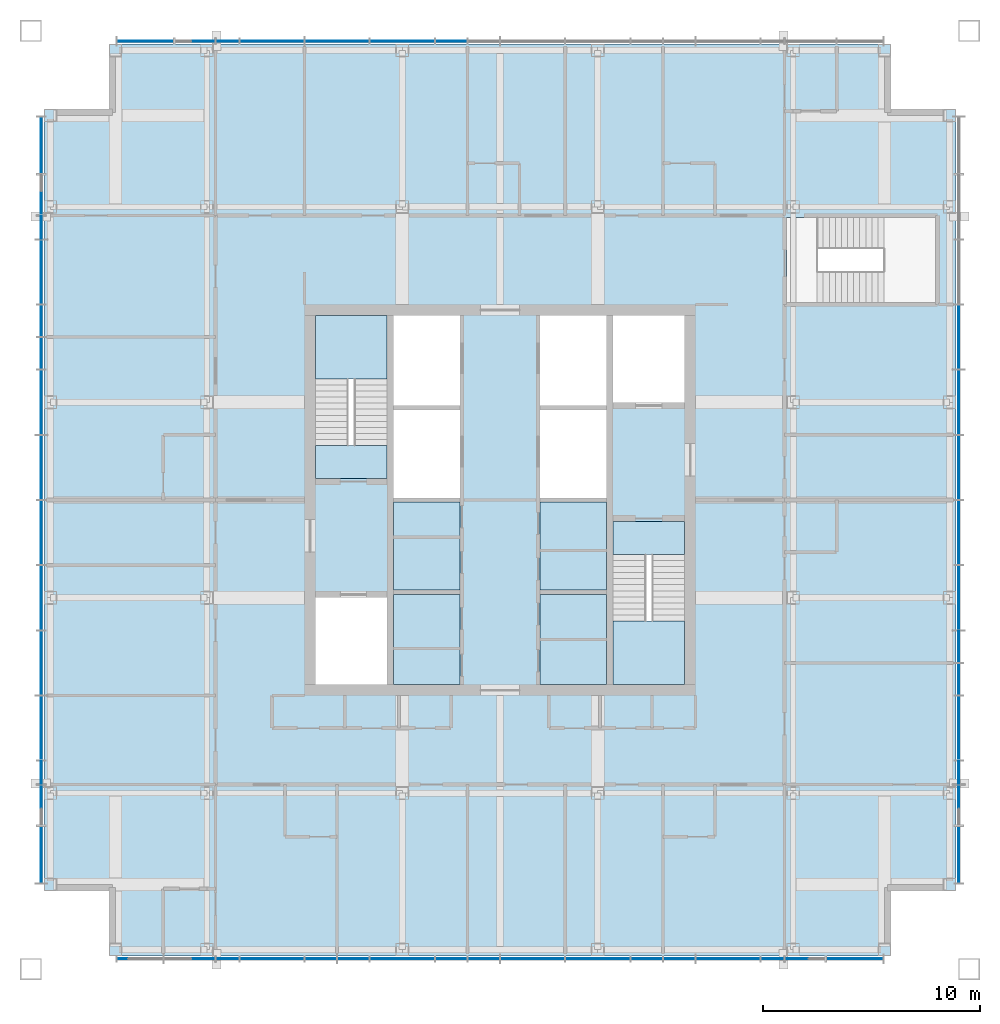
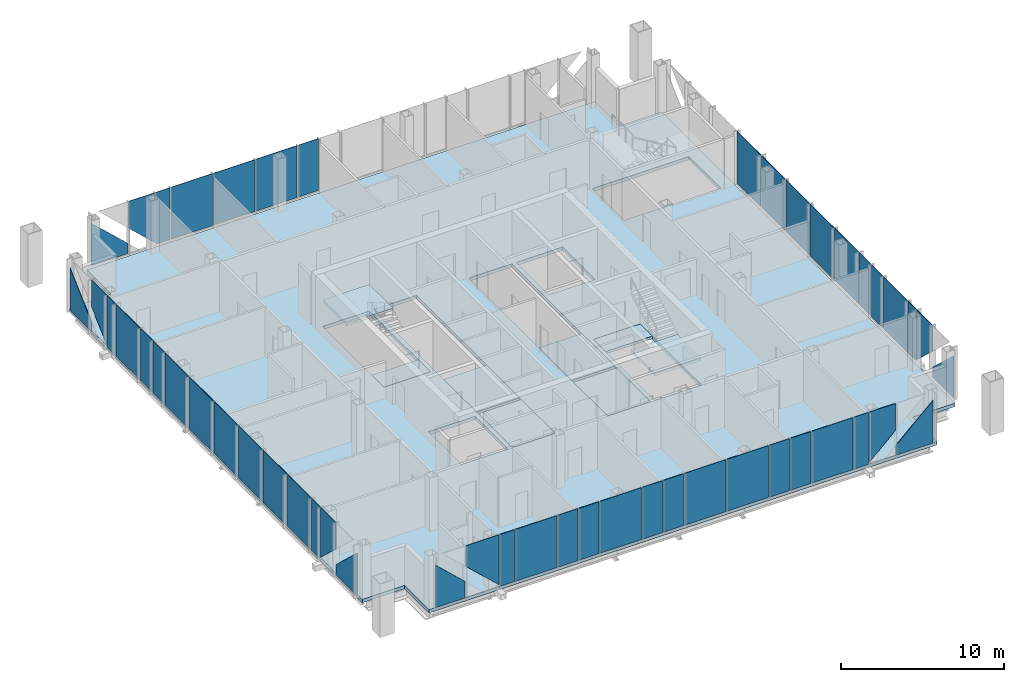
# One storey, part 6 of 11: 50 plates, 9 slabs, 6 elements without a shape of their own.
"""IFC4 building model written with IfcOpenShell, lengths in metres."""

from ifc_helpers import new_model, si_unit, direction, frame, origin, origin_2d, place, context, subcontext, project, spatial, polyline, rectangle, outline, extrude, material, layer, layer_set, type_object, element, aggregate, save


model = new_model("IFC4")

# Units and contexts
model_context = context("Model", 3, precision=1e-05, world=origin(), true_north=direction((0.0, 1.0)))
body_context = subcontext(model_context, "Body", "Model", "MODEL_VIEW")
ifc_project = project(units=[si_unit("LENGTHUNIT", "METRE"), si_unit("AREAUNIT", "SQUARE_METRE"), si_unit("VOLUMEUNIT", "CUBIC_METRE"), si_unit("PLANEANGLEUNIT", "RADIAN"), si_unit("MASSUNIT", "GRAM", prefix="KILO")], contexts=[model_context])

# Site, building, storey
site_placement = place(None, origin())
site = spatial("IfcSite", under=ifc_project, at=site_placement, CompositionType="ELEMENT")
building_placement = place(site_placement, origin())
building = spatial("IfcBuilding", under=site, at=building_placement, Name="Malebo Sky Hospital", CompositionType="ELEMENT")
storey_placement = place(building_placement, frame((0.0, 0.0, 282.0)))
storey = spatial("IfcBuildingStorey", under=building, at=storey_placement, Name="L68", CompositionType="ELEMENT", Elevation=282.0)

# Slabs
ifc_material_1 = material(Name="Concrete C40/50", Category="concrete")
ifc_layer_1 = layer(ifc_material_1, 0.25)
ifc_layer_set_1 = layer_set([ifc_layer_1], Name="COMPOSITE FLOOR SLAB 250")
slab_type_1 = type_object("IfcSlabType", Name="COMPOSITE FLOOR SLAB 250", PredefinedType="FLOOR", material=ifc_layer_set_1)
slab_1_placement = place(storey_placement, frame((0.0, 0.0, -0.25)))
element("IfcSlab", 1, at=slab_1_placement, inside=storey, type_object=slab_type_1, Name="Floor slab L68", PredefinedType="FLOOR", context=body_context, shape_type="SweptSolid", body=[
    extrude(outline(polyline([(42.0, 83.0), (42.0, 80.0), (39.0, 80.0), (39.0, 44.0), (42.0, 44.0), (42.0, 41.0), (78.0, 41.0), (78.0, 44.0), (81.0, 44.0), (81.0, 80.0), (78.0, 80.0), (78.0, 83.0), (42.0, 83.0)]), holes=[polyline([(55.10009765625, 70.5), (58.14990234375, 70.5), (58.14990234375, 53.5), (55.10009765625, 53.5), (55.10009765625, 70.5)]), polyline([(64.89990234375, 70.5), (64.89990234375, 53.5), (61.85009765625, 53.5), (61.85009765625, 70.5), (64.89990234375, 70.5)]), polyline([(54.800048828125, 63.0), (51.5, 63.0), (51.5, 70.5), (54.800048828125, 70.5), (54.800048828125, 63.0)]), polyline([(51.5, 53.5), (51.5, 57.5), (54.800048828125, 57.5), (54.800048828125, 53.5), (51.5, 53.5)]), polyline([(65.199951171875, 61.0), (68.5, 61.0), (68.5, 53.5), (65.199951171875, 53.5), (65.199951171875, 61.0)]), polyline([(68.5, 70.5), (68.5, 66.5), (65.199951171875, 66.5), (65.199951171875, 70.5), (68.5, 70.5)]), polyline([(80.050048828125, 71.10009765625), (73.199951171875, 71.10009765625), (73.199951171875, 75.0), (80.050048828125, 75.0), (80.050048828125, 71.10009765625)])]), origin(), (0.0, 0.0, 1.0), 0.25),
])
ifc_layer_2 = layer(ifc_material_1, 0.25)
ifc_layer_set_2 = layer_set([ifc_layer_2], Name="SHAFT INFILL SLAB 250")
slab_type_2 = type_object("IfcSlabType", Name="SHAFT INFILL SLAB 250", PredefinedType="FLOOR", material=ifc_layer_set_2)
slab_2_placement = place(storey_placement, frame((0.0, 0.0, -0.25)))
element("IfcSlab", 2, at=slab_2_placement, inside=storey, type_object=slab_type_2, Name="Shaft infill slab W1 L68", PredefinedType="FLOOR", context=body_context, shape_type="SweptSolid", body=[
    extrude(outline(polyline([(55.10009765625, 53.5), (58.14990234375, 53.5), (58.14990234375, 57.64990234375), (55.10009765625, 57.64990234375), (55.10009765625, 53.5)])), origin(), (0.0, 0.0, 1.0), 0.25),
])
slab_3_placement = place(storey_placement, frame((0.0, 0.0, -0.25)))
element("IfcSlab", 3, at=slab_3_placement, inside=storey, type_object=slab_type_2, Name="Shaft infill slab W2 L68", PredefinedType="FLOOR", context=body_context, shape_type="SweptSolid", body=[
    extrude(outline(polyline([(55.10009765625, 57.85009765625), (58.14990234375, 57.85009765625), (58.14990234375, 61.89990234375), (55.10009765625, 61.89990234375), (55.10009765625, 57.85009765625)])), origin(), (0.0, 0.0, 1.0), 0.25),
])
slab_4_placement = place(storey_placement, frame((0.0, 0.0, -0.25)))
element("IfcSlab", 4, at=slab_4_placement, inside=storey, type_object=slab_type_2, Name="Shaft infill slab E1 L68", PredefinedType="FLOOR", context=body_context, shape_type="SweptSolid", body=[
    extrude(outline(polyline([(61.85009765625, 53.5), (64.89990234375, 53.5), (64.89990234375, 57.64990234375), (61.85009765625, 57.64990234375), (61.85009765625, 53.5)])), origin(), (0.0, 0.0, 1.0), 0.25),
])
slab_5_placement = place(storey_placement, frame((0.0, 0.0, -0.25)))
element("IfcSlab", 5, at=slab_5_placement, inside=storey, type_object=slab_type_2, Name="Shaft infill slab E2 L68", PredefinedType="FLOOR", context=body_context, shape_type="SweptSolid", body=[
    extrude(outline(polyline([(61.85009765625, 57.85009765625), (64.89990234375, 57.85009765625), (64.89990234375, 61.89990234375), (61.85009765625, 61.89990234375), (61.85009765625, 57.85009765625)])), origin(), (0.0, 0.0, 1.0), 0.25),
])

# Stair, slabs
stair_type = type_object("IfcStairType", Name="HALF-TURN STAIR 1500 R167", PredefinedType="HALF_TURN_STAIR", material=ifc_material_1)
stair_1_placement = place(storey_placement, origin())
stair_1 = element("IfcStair", 6, at=stair_1_placement, inside=storey, type_object=stair_type, Name="Stair S1 L68 type ST1", PredefinedType="HALF_TURN_STAIR")
ifc_layer_3 = layer(ifc_material_1, 0.199951171875)
ifc_layer_set_3 = layer_set([ifc_layer_3], Name="STAIR LANDING 200")
slab_type_3 = type_object("IfcSlabType", Name="STAIR LANDING 200", PredefinedType="LANDING", material=ifc_layer_set_3)
slab_6_placement = place(storey_placement, frame((0.0, 0.0, -0.199951171875)))
slab_6 = element("IfcSlab", 7, at=slab_6_placement, type_object=slab_type_3, Name="S1 landing 1", PredefinedType="LANDING", context=body_context, shape_type="SweptSolid", body=[
    extrude(outline(polyline([(51.5, 63.0), (54.800048828125, 63.0), (54.800048828125, 64.5), (51.5, 64.5), (51.5, 63.0)])), origin(), (0.0, 0.0, 1.0), 0.199951171875),
])
slab_7_placement = place(storey_placement, frame((0.0, 0.0, 1.800048828125)))
slab_7 = element("IfcSlab", 8, at=slab_7_placement, type_object=slab_type_3, Name="S1 landing 2", PredefinedType="LANDING", context=body_context, shape_type="SweptSolid", body=[
    extrude(outline(polyline([(51.5, 67.580078125), (54.800048828125, 67.580078125), (54.800048828125, 70.5), (51.5, 70.5), (51.5, 67.580078125)])), origin(), (0.0, 0.0, 1.0), 0.199951171875),
])
aggregate(stair_1, [slab_6, slab_7])

stair_2_placement = place(storey_placement, origin())
stair_2 = element("IfcStair", 9, at=stair_2_placement, inside=storey, type_object=stair_type, Name="Stair S2 L68 type ST1", PredefinedType="HALF_TURN_STAIR")
slab_8_placement = place(storey_placement, frame((0.0, 0.0, -0.199951171875)))
slab_8 = element("IfcSlab", 10, at=slab_8_placement, type_object=slab_type_3, Name="S2 landing 1", PredefinedType="LANDING", context=body_context, shape_type="SweptSolid", body=[
    extrude(outline(polyline([(65.199951171875, 59.5), (68.5, 59.5), (68.5, 61.0), (65.199951171875, 61.0), (65.199951171875, 59.5)])), origin(), (0.0, 0.0, 1.0), 0.199951171875),
])
slab_9_placement = place(storey_placement, frame((0.0, 0.0, 1.800048828125)))
slab_9 = element("IfcSlab", 11, at=slab_9_placement, type_object=slab_type_3, Name="S2 landing 2", PredefinedType="LANDING", context=body_context, shape_type="SweptSolid", body=[
    extrude(outline(polyline([(65.199951171875, 53.5), (68.5, 53.5), (68.5, 56.419921875), (65.199951171875, 56.419921875), (65.199951171875, 53.5)])), origin(), (0.0, 0.0, 1.0), 0.199951171875),
])
aggregate(stair_2, [slab_8, slab_9])

# Curtain wall, plates
ifc_material_2 = material(Name="Anodised aluminium, natural silver", Category="aluminium")
ifc_layer_4 = layer(ifc_material_2, 0.25)
ifc_layer_set_4 = layer_set([ifc_layer_4], Name="WARD CURTAIN WALL NORTH AND SOUTH")
curtain_wall_type_1 = type_object("IfcCurtainWallType", Name="WARD CURTAIN WALL NORTH AND SOUTH", PredefinedType="NOTDEFINED", material=ifc_layer_set_4)
curtain_wall_1_placement = place(storey_placement, origin())
curtain_wall_1 = element("IfcCurtainWall", 12, at=curtain_wall_1_placement, inside=storey, type_object=curtain_wall_type_1, Name="NS curtain wall N", PredefinedType="NOTDEFINED")
ifc_material_3 = material(Name="Clear low-iron double glazing", Category="glass")
ifc_layer_5 = layer(ifc_material_3, 0.031982421875)
ifc_layer_set_5 = layer_set([ifc_layer_5], Name="VISION PANEL CLEAR 32")
plate_type = type_object("IfcPlateType", Name="VISION PANEL CLEAR 32", PredefinedType="CURTAIN_PANEL", material=ifc_layer_set_5)
plate_1_placement = place(storey_placement, frame((43.668701171875, 83.125, 0.10009765625), z_axis=(0.0, 0.0, 1.0), x_axis=(1.0, 0.0, 0.0)))
plate_1 = element("IfcPlate", 13, at=plate_1_placement, type_object=plate_type, Name="Panel 1", PredefinedType="CURTAIN_PANEL", context=body_context, shape_type="SweptSolid", body=[
    extrude(outline(polyline([(-1.293701171875, 0.0), (1.293701171875, 0.0), (1.293701171875, 0.772216796875), (-1.293701171875, 3.195068359375), (-1.293701171875, 0.0)])), frame((0.0, 0.01611328125, 0.0), z_axis=(0.0, -1.0, 0.0), x_axis=(1.0, 0.0, 0.0)), (0.0, 0.0, 1.0), 0.031982421875),
])
plate_2_placement = place(storey_placement, frame((45.949951171875, 83.125, 0.259033203125), z_axis=(0.0, 0.0, 1.0), x_axis=(1.0, 0.0, 0.0)))
plate_2 = element("IfcPlate", 14, at=plate_2_placement, type_object=plate_type, Name="Panel 2", PredefinedType="CURTAIN_PANEL", context=body_context, shape_type="SweptSolid", body=[
    extrude(outline(polyline([(0.91259765625, 0.0), (0.91259765625, 3.73095703125), (-0.91259765625, 3.73095703125), (-0.91259765625, 1.708740234375), (0.91259765625, 0.0)])), frame((0.0, 0.01611328125, 0.0), z_axis=(0.0, -1.0, 0.0), x_axis=(1.0, 0.0, 0.0)), (0.0, 0.0, 1.0), 0.031982421875),
])
plate_3_placement = place(storey_placement, frame((47.449951171875, 83.125, 0.10009765625), z_axis=(0.0, 0.0, 1.0), x_axis=(1.0, 0.0, 0.0)))
plate_3 = element("IfcPlate", 15, at=plate_3_placement, type_object=plate_type, Name="Panel 3", PredefinedType="CURTAIN_PANEL", context=body_context, shape_type="SweptSolid", body=[
    extrude(outline(polyline([(-0.41748046875, 0.0), (0.512451171875, 0.0), (0.512451171875, 3.889892578125), (-0.512451171875, 3.889892578125), (-0.512451171875, 0.0888671875), (-0.41748046875, 0.0)])), frame((0.0, 0.01611328125, 0.0), z_axis=(0.0, -1.0, 0.0), x_axis=(1.0, 0.0, 0.0)), (0.0, 0.0, 1.0), 0.031982421875),
])
plate_4_placement = place(storey_placement, frame((49.5, 83.125, 0.10009765625), z_axis=(0.0, 0.0, 1.0), x_axis=(1.0, 0.0, 0.0)))
plate_4 = element("IfcPlate", 16, at=plate_4_placement, type_object=plate_type, Name="Panel 4", PredefinedType="CURTAIN_PANEL", context=body_context, shape_type="SweptSolid", body=[
    extrude(rectangle(XDim=2.925048828125, YDim=0.031982421875, at=origin_2d()), origin(), (0.0, 0.0, 1.0), 3.889892578125),
])
plate_5_placement = place(storey_placement, frame((52.5, 83.125, 0.10009765625), z_axis=(0.0, 0.0, 1.0), x_axis=(1.0, 0.0, 0.0)))
plate_5 = element("IfcPlate", 17, at=plate_5_placement, type_object=plate_type, Name="Panel 5", PredefinedType="CURTAIN_PANEL", context=body_context, shape_type="SweptSolid", body=[
    extrude(rectangle(XDim=2.925048828125, YDim=0.031982421875, at=origin_2d()), origin(), (0.0, 0.0, 1.0), 3.889892578125),
])
plate_6_placement = place(storey_placement, frame((55.5, 83.125, 0.10009765625), z_axis=(0.0, 0.0, 1.0), x_axis=(1.0, 0.0, 0.0)))
plate_6 = element("IfcPlate", 18, at=plate_6_placement, type_object=plate_type, Name="Panel 6", PredefinedType="CURTAIN_PANEL", context=body_context, shape_type="SweptSolid", body=[
    extrude(rectangle(XDim=2.925048828125, YDim=0.031982421875, at=origin_2d()), origin(), (0.0, 0.0, 1.0), 3.889892578125),
])
plate_7_placement = place(storey_placement, frame((57.75, 83.125, 0.10009765625), z_axis=(0.0, 0.0, 1.0), x_axis=(1.0, 0.0, 0.0)))
plate_7 = element("IfcPlate", 19, at=plate_7_placement, type_object=plate_type, Name="Panel 7", PredefinedType="CURTAIN_PANEL", context=body_context, shape_type="SweptSolid", body=[
    extrude(rectangle(XDim=1.425048828125, YDim=0.031982421875, at=origin_2d()), origin(), (0.0, 0.0, 1.0), 3.889892578125),
])
aggregate(curtain_wall_1, [plate_1, plate_2, plate_3, plate_4, plate_5, plate_6, plate_7])

ifc_layer_6 = layer(ifc_material_2, 0.25)
ifc_layer_set_6 = layer_set([ifc_layer_6], Name="WARD CURTAIN WALL EAST AND WEST")
curtain_wall_type_2 = type_object("IfcCurtainWallType", Name="WARD CURTAIN WALL EAST AND WEST", PredefinedType="NOTDEFINED", material=ifc_layer_set_6)
curtain_wall_2_placement = place(storey_placement, origin())
curtain_wall_2 = element("IfcCurtainWall", 20, at=curtain_wall_2_placement, inside=storey, type_object=curtain_wall_type_2, Name="EW curtain wall W", PredefinedType="NOTDEFINED")
plate_8_placement = place(storey_placement, frame((38.875, 45.668701171875, 0.10009765625), z_axis=(0.0, 0.0, 1.0), x_axis=(0.0, 1.0, 0.0)))
plate_8 = element("IfcPlate", 21, at=plate_8_placement, type_object=plate_type, Name="Panel 1", PredefinedType="CURTAIN_PANEL", context=body_context, shape_type="SweptSolid", body=[
    extrude(outline(polyline([(-1.293701171875, 0.0), (1.293701171875, 0.0), (1.293701171875, 0.772216796875), (-1.293701171875, 3.195068359375), (-1.293701171875, 0.0)])), frame((0.0, 0.01611328125, 0.0), z_axis=(0.0, -1.0, 0.0), x_axis=(1.0, 0.0, 0.0)), (0.0, 0.0, 1.0), 0.031982421875),
])
plate_9_placement = place(storey_placement, frame((38.875, 47.949951171875, 0.259033203125), z_axis=(0.0, 0.0, 1.0), x_axis=(0.0, 1.0, 0.0)))
plate_9 = element("IfcPlate", 22, at=plate_9_placement, type_object=plate_type, Name="Panel 2", PredefinedType="CURTAIN_PANEL", context=body_context, shape_type="SweptSolid", body=[
    extrude(outline(polyline([(0.91259765625, 0.0), (0.91259765625, 3.73095703125), (-0.91259765625, 3.73095703125), (-0.91259765625, 1.708740234375), (0.91259765625, 0.0)])), frame((0.0, 0.01611328125, 0.0), z_axis=(0.0, -1.0, 0.0), x_axis=(1.0, 0.0, 0.0)), (0.0, 0.0, 1.0), 0.031982421875),
])
plate_10_placement = place(storey_placement, frame((38.875, 49.449951171875, 0.10009765625), z_axis=(0.0, 0.0, 1.0), x_axis=(0.0, 1.0, 0.0)))
plate_10 = element("IfcPlate", 23, at=plate_10_placement, type_object=plate_type, Name="Panel 3", PredefinedType="CURTAIN_PANEL", context=body_context, shape_type="SweptSolid", body=[
    extrude(outline(polyline([(-0.41748046875, 0.0), (0.512451171875, 0.0), (0.512451171875, 3.889892578125), (-0.512451171875, 3.889892578125), (-0.512451171875, 0.0888671875), (-0.41748046875, 0.0)])), frame((0.0, 0.01611328125, 0.0), z_axis=(0.0, -1.0, 0.0), x_axis=(1.0, 0.0, 0.0)), (0.0, 0.0, 1.0), 0.031982421875),
])
plate_11_placement = place(storey_placement, frame((38.875, 51.5, 0.10009765625), z_axis=(0.0, 0.0, 1.0), x_axis=(0.0, 1.0, 0.0)))
plate_11 = element("IfcPlate", 24, at=plate_11_placement, type_object=plate_type, Name="Panel 4", PredefinedType="CURTAIN_PANEL", context=body_context, shape_type="SweptSolid", body=[
    extrude(rectangle(XDim=2.925048828125, YDim=0.031982421875, at=origin_2d()), origin(), (0.0, 0.0, 1.0), 3.889892578125),
])
plate_12_placement = place(storey_placement, frame((38.875, 54.5, 0.10009765625), z_axis=(0.0, 0.0, 1.0), x_axis=(0.0, 1.0, 0.0)))
plate_12 = element("IfcPlate", 25, at=plate_12_placement, type_object=plate_type, Name="Panel 5", PredefinedType="CURTAIN_PANEL", context=body_context, shape_type="SweptSolid", body=[
    extrude(rectangle(XDim=2.925048828125, YDim=0.031982421875, at=origin_2d()), origin(), (0.0, 0.0, 1.0), 3.889892578125),
])
plate_13_placement = place(storey_placement, frame((38.875, 57.5, 0.10009765625), z_axis=(0.0, 0.0, 1.0), x_axis=(0.0, 1.0, 0.0)))
plate_13 = element("IfcPlate", 26, at=plate_13_placement, type_object=plate_type, Name="Panel 6", PredefinedType="CURTAIN_PANEL", context=body_context, shape_type="SweptSolid", body=[
    extrude(rectangle(XDim=2.925048828125, YDim=0.031982421875, at=origin_2d()), origin(), (0.0, 0.0, 1.0), 3.889892578125),
])
plate_14_placement = place(storey_placement, frame((38.875, 60.5, 0.10009765625), z_axis=(0.0, 0.0, 1.0), x_axis=(0.0, 1.0, 0.0)))
plate_14 = element("IfcPlate", 27, at=plate_14_placement, type_object=plate_type, Name="Panel 7", PredefinedType="CURTAIN_PANEL", context=body_context, shape_type="SweptSolid", body=[
    extrude(rectangle(XDim=2.925048828125, YDim=0.031982421875, at=origin_2d()), origin(), (0.0, 0.0, 1.0), 3.889892578125),
])
plate_15_placement = place(storey_placement, frame((38.875, 63.5, 0.10009765625), z_axis=(0.0, 0.0, 1.0), x_axis=(0.0, 1.0, 0.0)))
plate_15 = element("IfcPlate", 28, at=plate_15_placement, type_object=plate_type, Name="Panel 8", PredefinedType="CURTAIN_PANEL", context=body_context, shape_type="SweptSolid", body=[
    extrude(rectangle(XDim=2.925048828125, YDim=0.031982421875, at=origin_2d()), origin(), (0.0, 0.0, 1.0), 3.889892578125),
])
plate_16_placement = place(storey_placement, frame((38.875, 66.5, 0.10009765625), z_axis=(0.0, 0.0, 1.0), x_axis=(0.0, 1.0, 0.0)))
plate_16 = element("IfcPlate", 29, at=plate_16_placement, type_object=plate_type, Name="Panel 9", PredefinedType="CURTAIN_PANEL", context=body_context, shape_type="SweptSolid", body=[
    extrude(rectangle(XDim=2.925048828125, YDim=0.031982421875, at=origin_2d()), origin(), (0.0, 0.0, 1.0), 3.889892578125),
])
plate_17_placement = place(storey_placement, frame((38.875, 68.75, 0.10009765625), z_axis=(0.0, 0.0, 1.0), x_axis=(0.0, 1.0, 0.0)))
plate_17 = element("IfcPlate", 30, at=plate_17_placement, type_object=plate_type, Name="Panel 10", PredefinedType="CURTAIN_PANEL", context=body_context, shape_type="SweptSolid", body=[
    extrude(rectangle(XDim=1.425048828125, YDim=0.031982421875, at=origin_2d()), origin(), (0.0, 0.0, 1.0), 3.889892578125),
])
plate_18_placement = place(storey_placement, frame((38.875, 70.25, 0.10009765625), z_axis=(0.0, 0.0, 1.0), x_axis=(0.0, 1.0, 0.0)))
plate_18 = element("IfcPlate", 31, at=plate_18_placement, type_object=plate_type, Name="Panel 11", PredefinedType="CURTAIN_PANEL", context=body_context, shape_type="SweptSolid", body=[
    extrude(rectangle(XDim=1.425048828125, YDim=0.031982421875, at=origin_2d()), origin(), (0.0, 0.0, 1.0), 3.889892578125),
])
plate_19_placement = place(storey_placement, frame((38.875, 72.5, 0.10009765625), z_axis=(0.0, 0.0, 1.0), x_axis=(0.0, 1.0, 0.0)))
plate_19 = element("IfcPlate", 32, at=plate_19_placement, type_object=plate_type, Name="Panel 12", PredefinedType="CURTAIN_PANEL", context=body_context, shape_type="SweptSolid", body=[
    extrude(rectangle(XDim=2.925048828125, YDim=0.031982421875, at=origin_2d()), origin(), (0.0, 0.0, 1.0), 3.889892578125),
])
plate_20_placement = place(storey_placement, frame((38.875, 74.550048828125, 0.10009765625), z_axis=(0.0, 0.0, 1.0), x_axis=(0.0, 1.0, 0.0)))
plate_20 = element("IfcPlate", 33, at=plate_20_placement, type_object=plate_type, Name="Panel 13", PredefinedType="CURTAIN_PANEL", context=body_context, shape_type="SweptSolid", body=[
    extrude(outline(polyline([(-0.512451171875, 0.0), (0.41748046875, 0.0), (0.512451171875, 0.0888671875), (0.512451171875, 3.889892578125), (-0.512451171875, 3.889892578125), (-0.512451171875, 0.0)])), frame((0.0, 0.01611328125, 0.0), z_axis=(0.0, -1.0, 0.0), x_axis=(1.0, 0.0, 0.0)), (0.0, 0.0, 1.0), 0.031982421875),
])
plate_21_placement = place(storey_placement, frame((38.875, 76.050048828125, 0.259033203125), z_axis=(0.0, 0.0, 1.0), x_axis=(0.0, 1.0, 0.0)))
plate_21 = element("IfcPlate", 34, at=plate_21_placement, type_object=plate_type, Name="Panel 14", PredefinedType="CURTAIN_PANEL", context=body_context, shape_type="SweptSolid", body=[
    extrude(outline(polyline([(-0.91259765625, 0.0), (0.91259765625, 1.708740234375), (0.91259765625, 3.73095703125), (-0.91259765625, 3.73095703125), (-0.91259765625, 0.0)])), frame((0.0, 0.01611328125, 0.0), z_axis=(0.0, -1.0, 0.0), x_axis=(1.0, 0.0, 0.0)), (0.0, 0.0, 1.0), 0.031982421875),
])
plate_22_placement = place(storey_placement, frame((38.875, 78.331298828125, 0.10009765625), z_axis=(0.0, 0.0, 1.0), x_axis=(0.0, 1.0, 0.0)))
plate_22 = element("IfcPlate", 35, at=plate_22_placement, type_object=plate_type, Name="Panel 15", PredefinedType="CURTAIN_PANEL", context=body_context, shape_type="SweptSolid", body=[
    extrude(outline(polyline([(-1.293701171875, 0.0), (1.293701171875, 0.0), (1.293701171875, 3.195068359375), (-1.293701171875, 0.772216796875), (-1.293701171875, 0.0)])), frame((0.0, 0.01611328125, 0.0), z_axis=(0.0, -1.0, 0.0), x_axis=(1.0, 0.0, 0.0)), (0.0, 0.0, 1.0), 0.031982421875),
])
aggregate(curtain_wall_2, [plate_8, plate_9, plate_10, plate_11, plate_12, plate_13, plate_14, plate_15, plate_16, plate_17, plate_18, plate_19, plate_20, plate_21, plate_22])

curtain_wall_3_placement = place(storey_placement, origin())
curtain_wall_3 = element("IfcCurtainWall", 36, at=curtain_wall_3_placement, inside=storey, type_object=curtain_wall_type_1, Name="NS curtain wall S", PredefinedType="NOTDEFINED")
plate_23_placement = place(storey_placement, frame((76.331298828125, 40.875, 0.10009765625), z_axis=(0.0, 0.0, 1.0), x_axis=(-1.0, 0.0, 0.0)))
plate_23 = element("IfcPlate", 37, at=plate_23_placement, type_object=plate_type, Name="Panel 1", PredefinedType="CURTAIN_PANEL", context=body_context, shape_type="SweptSolid", body=[
    extrude(outline(polyline([(-1.293701171875, 0.0), (1.293701171875, 0.0), (1.293701171875, 0.772216796875), (-1.293701171875, 3.195068359375), (-1.293701171875, 0.0)])), frame((0.0, 0.01611328125, 0.0), z_axis=(0.0, -1.0, 0.0), x_axis=(1.0, 0.0, 0.0)), (0.0, 0.0, 1.0), 0.031982421875),
])
plate_24_placement = place(storey_placement, frame((74.050048828125, 40.875, 0.259033203125), z_axis=(0.0, 0.0, 1.0), x_axis=(-1.0, 0.0, 0.0)))
plate_24 = element("IfcPlate", 38, at=plate_24_placement, type_object=plate_type, Name="Panel 2", PredefinedType="CURTAIN_PANEL", context=body_context, shape_type="SweptSolid", body=[
    extrude(outline(polyline([(0.91259765625, 0.0), (0.91259765625, 3.73095703125), (-0.91259765625, 3.73095703125), (-0.91259765625, 1.708740234375), (0.91259765625, 0.0)])), frame((0.0, 0.01611328125, 0.0), z_axis=(0.0, -1.0, 0.0), x_axis=(1.0, 0.0, 0.0)), (0.0, 0.0, 1.0), 0.031982421875),
])
plate_25_placement = place(storey_placement, frame((72.550048828125, 40.875, 0.10009765625), z_axis=(0.0, 0.0, 1.0), x_axis=(-1.0, 0.0, 0.0)))
plate_25 = element("IfcPlate", 39, at=plate_25_placement, type_object=plate_type, Name="Panel 3", PredefinedType="CURTAIN_PANEL", context=body_context, shape_type="SweptSolid", body=[
    extrude(outline(polyline([(-0.41748046875, 0.0), (0.512451171875, 0.0), (0.512451171875, 3.889892578125), (-0.512451171875, 3.889892578125), (-0.512451171875, 0.0888671875), (-0.41748046875, 0.0)])), frame((0.0, 0.01611328125, 0.0), z_axis=(0.0, -1.0, 0.0), x_axis=(1.0, 0.0, 0.0)), (0.0, 0.0, 1.0), 0.031982421875),
])
plate_26_placement = place(storey_placement, frame((70.5, 40.875, 0.10009765625), z_axis=(0.0, 0.0, 1.0), x_axis=(-1.0, 0.0, 0.0)))
plate_26 = element("IfcPlate", 40, at=plate_26_placement, type_object=plate_type, Name="Panel 4", PredefinedType="CURTAIN_PANEL", context=body_context, shape_type="SweptSolid", body=[
    extrude(rectangle(XDim=2.925048828125, YDim=0.031982421875, at=origin_2d()), origin(), (0.0, 0.0, 1.0), 3.889892578125),
])
plate_27_placement = place(storey_placement, frame((68.25, 40.875, 0.10009765625), z_axis=(0.0, 0.0, 1.0), x_axis=(-1.0, 0.0, 0.0)))
plate_27 = element("IfcPlate", 41, at=plate_27_placement, type_object=plate_type, Name="Panel 5", PredefinedType="CURTAIN_PANEL", context=body_context, shape_type="SweptSolid", body=[
    extrude(rectangle(XDim=1.425048828125, YDim=0.031982421875, at=origin_2d()), origin(), (0.0, 0.0, 1.0), 3.889892578125),
])
plate_28_placement = place(storey_placement, frame((66.75, 40.875, 0.10009765625), z_axis=(0.0, 0.0, 1.0), x_axis=(-1.0, 0.0, 0.0)))
plate_28 = element("IfcPlate", 42, at=plate_28_placement, type_object=plate_type, Name="Panel 6", PredefinedType="CURTAIN_PANEL", context=body_context, shape_type="SweptSolid", body=[
    extrude(rectangle(XDim=1.425048828125, YDim=0.031982421875, at=origin_2d()), origin(), (0.0, 0.0, 1.0), 3.889892578125),
])
plate_29_placement = place(storey_placement, frame((64.5, 40.875, 0.10009765625), z_axis=(0.0, 0.0, 1.0), x_axis=(-1.0, 0.0, 0.0)))
plate_29 = element("IfcPlate", 43, at=plate_29_placement, type_object=plate_type, Name="Panel 7", PredefinedType="CURTAIN_PANEL", context=body_context, shape_type="SweptSolid", body=[
    extrude(rectangle(XDim=2.925048828125, YDim=0.031982421875, at=origin_2d()), origin(), (0.0, 0.0, 1.0), 3.889892578125),
])
plate_30_placement = place(storey_placement, frame((61.5, 40.875, 0.10009765625), z_axis=(0.0, 0.0, 1.0), x_axis=(-1.0, 0.0, 0.0)))
plate_30 = element("IfcPlate", 44, at=plate_30_placement, type_object=plate_type, Name="Panel 8", PredefinedType="CURTAIN_PANEL", context=body_context, shape_type="SweptSolid", body=[
    extrude(rectangle(XDim=2.925048828125, YDim=0.031982421875, at=origin_2d()), origin(), (0.0, 0.0, 1.0), 3.889892578125),
])
plate_31_placement = place(storey_placement, frame((59.25, 40.875, 0.10009765625), z_axis=(0.0, 0.0, 1.0), x_axis=(-1.0, 0.0, 0.0)))
plate_31 = element("IfcPlate", 45, at=plate_31_placement, type_object=plate_type, Name="Panel 9", PredefinedType="CURTAIN_PANEL", context=body_context, shape_type="SweptSolid", body=[
    extrude(rectangle(XDim=1.425048828125, YDim=0.031982421875, at=origin_2d()), origin(), (0.0, 0.0, 1.0), 3.889892578125),
])
plate_32_placement = place(storey_placement, frame((57.75, 40.875, 0.10009765625), z_axis=(0.0, 0.0, 1.0), x_axis=(-1.0, 0.0, 0.0)))
plate_32 = element("IfcPlate", 46, at=plate_32_placement, type_object=plate_type, Name="Panel 10", PredefinedType="CURTAIN_PANEL", context=body_context, shape_type="SweptSolid", body=[
    extrude(rectangle(XDim=1.425048828125, YDim=0.031982421875, at=origin_2d()), origin(), (0.0, 0.0, 1.0), 3.889892578125),
])
plate_33_placement = place(storey_placement, frame((55.5, 40.875, 0.10009765625), z_axis=(0.0, 0.0, 1.0), x_axis=(-1.0, 0.0, 0.0)))
plate_33 = element("IfcPlate", 47, at=plate_33_placement, type_object=plate_type, Name="Panel 11", PredefinedType="CURTAIN_PANEL", context=body_context, shape_type="SweptSolid", body=[
    extrude(rectangle(XDim=2.925048828125, YDim=0.031982421875, at=origin_2d()), origin(), (0.0, 0.0, 1.0), 3.889892578125),
])
plate_34_placement = place(storey_placement, frame((53.25, 40.875, 0.10009765625), z_axis=(0.0, 0.0, 1.0), x_axis=(-1.0, 0.0, 0.0)))
plate_34 = element("IfcPlate", 48, at=plate_34_placement, type_object=plate_type, Name="Panel 12", PredefinedType="CURTAIN_PANEL", context=body_context, shape_type="SweptSolid", body=[
    extrude(rectangle(XDim=1.425048828125, YDim=0.031982421875, at=origin_2d()), origin(), (0.0, 0.0, 1.0), 3.889892578125),
])
plate_35_placement = place(storey_placement, frame((51.75, 40.875, 0.10009765625), z_axis=(0.0, 0.0, 1.0), x_axis=(-1.0, 0.0, 0.0)))
plate_35 = element("IfcPlate", 49, at=plate_35_placement, type_object=plate_type, Name="Panel 13", PredefinedType="CURTAIN_PANEL", context=body_context, shape_type="SweptSolid", body=[
    extrude(rectangle(XDim=1.425048828125, YDim=0.031982421875, at=origin_2d()), origin(), (0.0, 0.0, 1.0), 3.889892578125),
])
plate_36_placement = place(storey_placement, frame((49.5, 40.875, 0.10009765625), z_axis=(0.0, 0.0, 1.0), x_axis=(-1.0, 0.0, 0.0)))
plate_36 = element("IfcPlate", 50, at=plate_36_placement, type_object=plate_type, Name="Panel 14", PredefinedType="CURTAIN_PANEL", context=body_context, shape_type="SweptSolid", body=[
    extrude(rectangle(XDim=2.925048828125, YDim=0.031982421875, at=origin_2d()), origin(), (0.0, 0.0, 1.0), 3.889892578125),
])
plate_37_placement = place(storey_placement, frame((47.449951171875, 40.875, 0.10009765625), z_axis=(0.0, 0.0, 1.0), x_axis=(-1.0, 0.0, 0.0)))
plate_37 = element("IfcPlate", 51, at=plate_37_placement, type_object=plate_type, Name="Panel 15", PredefinedType="CURTAIN_PANEL", context=body_context, shape_type="SweptSolid", body=[
    extrude(outline(polyline([(-0.512451171875, 0.0), (0.41748046875, 0.0), (0.512451171875, 0.0888671875), (0.512451171875, 3.889892578125), (-0.512451171875, 3.889892578125), (-0.512451171875, 0.0)])), frame((0.0, 0.01611328125, 0.0), z_axis=(0.0, -1.0, 0.0), x_axis=(1.0, 0.0, 0.0)), (0.0, 0.0, 1.0), 0.031982421875),
])
plate_38_placement = place(storey_placement, frame((45.699951171875, 40.875, 0.259033203125), z_axis=(0.0, 0.0, 1.0), x_axis=(-1.0, 0.0, 0.0)))
plate_38 = element("IfcPlate", 52, at=plate_38_placement, type_object=plate_type, Name="Panel 16", PredefinedType="CURTAIN_PANEL", context=body_context, shape_type="SweptSolid", body=[
    extrude(outline(polyline([(-1.16259765625, 0.0), (1.16259765625, 2.177001953125), (1.16259765625, 3.73095703125), (-1.16259765625, 3.73095703125), (-1.16259765625, 0.0)])), frame((0.0, 0.01611328125, 0.0), z_axis=(0.0, -1.0, 0.0), x_axis=(1.0, 0.0, 0.0)), (0.0, 0.0, 1.0), 0.031982421875),
])
plate_39_placement = place(storey_placement, frame((43.418701171875, 40.875, 0.10009765625), z_axis=(0.0, 0.0, 1.0), x_axis=(-1.0, 0.0, 0.0)))
plate_39 = element("IfcPlate", 53, at=plate_39_placement, type_object=plate_type, Name="Panel 17", PredefinedType="CURTAIN_PANEL", context=body_context, shape_type="SweptSolid", body=[
    extrude(outline(polyline([(-1.043701171875, 0.0), (1.043701171875, 0.0), (1.043701171875, 3.195068359375), (-1.043701171875, 1.240478515625), (-1.043701171875, 0.0)])), frame((0.0, 0.01611328125, 0.0), z_axis=(0.0, -1.0, 0.0), x_axis=(1.0, 0.0, 0.0)), (0.0, 0.0, 1.0), 0.031982421875),
])
aggregate(curtain_wall_3, [plate_23, plate_24, plate_25, plate_26, plate_27, plate_28, plate_29, plate_30, plate_31, plate_32, plate_33, plate_34, plate_35, plate_36, plate_37, plate_38, plate_39])

curtain_wall_4_placement = place(storey_placement, origin())
curtain_wall_4 = element("IfcCurtainWall", 54, at=curtain_wall_4_placement, inside=storey, type_object=curtain_wall_type_2, Name="EW curtain wall E", PredefinedType="NOTDEFINED")
plate_40_placement = place(storey_placement, frame((81.125, 69.5, 0.10009765625), z_axis=(0.0, 0.0, 1.0), x_axis=(0.0, -1.0, 0.0)))
plate_40 = element("IfcPlate", 55, at=plate_40_placement, type_object=plate_type, Name="Panel 4", PredefinedType="CURTAIN_PANEL", context=body_context, shape_type="SweptSolid", body=[
    extrude(rectangle(XDim=2.925048828125, YDim=0.031982421875, at=origin_2d()), origin(), (0.0, 0.0, 1.0), 3.889892578125),
])
plate_41_placement = place(storey_placement, frame((81.125, 66.5, 0.10009765625), z_axis=(0.0, 0.0, 1.0), x_axis=(0.0, -1.0, 0.0)))
plate_41 = element("IfcPlate", 56, at=plate_41_placement, type_object=plate_type, Name="Panel 5", PredefinedType="CURTAIN_PANEL", context=body_context, shape_type="SweptSolid", body=[
    extrude(rectangle(XDim=2.925048828125, YDim=0.031982421875, at=origin_2d()), origin(), (0.0, 0.0, 1.0), 3.889892578125),
])
plate_42_placement = place(storey_placement, frame((81.125, 63.5, 0.10009765625), z_axis=(0.0, 0.0, 1.0), x_axis=(0.0, -1.0, 0.0)))
plate_42 = element("IfcPlate", 57, at=plate_42_placement, type_object=plate_type, Name="Panel 6", PredefinedType="CURTAIN_PANEL", context=body_context, shape_type="SweptSolid", body=[
    extrude(rectangle(XDim=2.925048828125, YDim=0.031982421875, at=origin_2d()), origin(), (0.0, 0.0, 1.0), 3.889892578125),
])
plate_43_placement = place(storey_placement, frame((81.125, 60.5, 0.10009765625), z_axis=(0.0, 0.0, 1.0), x_axis=(0.0, -1.0, 0.0)))
plate_43 = element("IfcPlate", 58, at=plate_43_placement, type_object=plate_type, Name="Panel 7", PredefinedType="CURTAIN_PANEL", context=body_context, shape_type="SweptSolid", body=[
    extrude(rectangle(XDim=2.925048828125, YDim=0.031982421875, at=origin_2d()), origin(), (0.0, 0.0, 1.0), 3.889892578125),
])
plate_44_placement = place(storey_placement, frame((81.125, 57.5, 0.10009765625), z_axis=(0.0, 0.0, 1.0), x_axis=(0.0, -1.0, 0.0)))
plate_44 = element("IfcPlate", 59, at=plate_44_placement, type_object=plate_type, Name="Panel 8", PredefinedType="CURTAIN_PANEL", context=body_context, shape_type="SweptSolid", body=[
    extrude(rectangle(XDim=2.925048828125, YDim=0.031982421875, at=origin_2d()), origin(), (0.0, 0.0, 1.0), 3.889892578125),
])
plate_45_placement = place(storey_placement, frame((81.125, 55.25, 0.10009765625), z_axis=(0.0, 0.0, 1.0), x_axis=(0.0, -1.0, 0.0)))
plate_45 = element("IfcPlate", 60, at=plate_45_placement, type_object=plate_type, Name="Panel 9", PredefinedType="CURTAIN_PANEL", context=body_context, shape_type="SweptSolid", body=[
    extrude(rectangle(XDim=1.425048828125, YDim=0.031982421875, at=origin_2d()), origin(), (0.0, 0.0, 1.0), 3.889892578125),
])
plate_46_placement = place(storey_placement, frame((81.125, 53.75, 0.10009765625), z_axis=(0.0, 0.0, 1.0), x_axis=(0.0, -1.0, 0.0)))
plate_46 = element("IfcPlate", 61, at=plate_46_placement, type_object=plate_type, Name="Panel 10", PredefinedType="CURTAIN_PANEL", context=body_context, shape_type="SweptSolid", body=[
    extrude(rectangle(XDim=1.425048828125, YDim=0.031982421875, at=origin_2d()), origin(), (0.0, 0.0, 1.0), 3.889892578125),
])
plate_47_placement = place(storey_placement, frame((81.125, 51.5, 0.10009765625), z_axis=(0.0, 0.0, 1.0), x_axis=(0.0, -1.0, 0.0)))
plate_47 = element("IfcPlate", 62, at=plate_47_placement, type_object=plate_type, Name="Panel 11", PredefinedType="CURTAIN_PANEL", context=body_context, shape_type="SweptSolid", body=[
    extrude(rectangle(XDim=2.925048828125, YDim=0.031982421875, at=origin_2d()), origin(), (0.0, 0.0, 1.0), 3.889892578125),
])
plate_48_placement = place(storey_placement, frame((81.125, 49.449951171875, 0.10009765625), z_axis=(0.0, 0.0, 1.0), x_axis=(0.0, -1.0, 0.0)))
plate_48 = element("IfcPlate", 63, at=plate_48_placement, type_object=plate_type, Name="Panel 12", PredefinedType="CURTAIN_PANEL", context=body_context, shape_type="SweptSolid", body=[
    extrude(outline(polyline([(-0.512451171875, 0.0), (0.41748046875, 0.0), (0.512451171875, 0.0888671875), (0.512451171875, 3.889892578125), (-0.512451171875, 3.889892578125), (-0.512451171875, 0.0)])), frame((0.0, 0.01611328125, 0.0), z_axis=(0.0, -1.0, 0.0), x_axis=(1.0, 0.0, 0.0)), (0.0, 0.0, 1.0), 0.031982421875),
])
plate_49_placement = place(storey_placement, frame((81.125, 47.949951171875, 0.259033203125), z_axis=(0.0, 0.0, 1.0), x_axis=(0.0, -1.0, 0.0)))
plate_49 = element("IfcPlate", 64, at=plate_49_placement, type_object=plate_type, Name="Panel 13", PredefinedType="CURTAIN_PANEL", context=body_context, shape_type="SweptSolid", body=[
    extrude(outline(polyline([(-0.91259765625, 0.0), (0.91259765625, 1.708740234375), (0.91259765625, 3.73095703125), (-0.91259765625, 3.73095703125), (-0.91259765625, 0.0)])), frame((0.0, 0.01611328125, 0.0), z_axis=(0.0, -1.0, 0.0), x_axis=(1.0, 0.0, 0.0)), (0.0, 0.0, 1.0), 0.031982421875),
])
plate_50_placement = place(storey_placement, frame((81.125, 45.668701171875, 0.10009765625), z_axis=(0.0, 0.0, 1.0), x_axis=(0.0, -1.0, 0.0)))
plate_50 = element("IfcPlate", 65, at=plate_50_placement, type_object=plate_type, Name="Panel 14", PredefinedType="CURTAIN_PANEL", context=body_context, shape_type="SweptSolid", body=[
    extrude(outline(polyline([(-1.293701171875, 0.0), (1.293701171875, 0.0), (1.293701171875, 3.195068359375), (-1.293701171875, 0.772216796875), (-1.293701171875, 0.0)])), frame((0.0, 0.01611328125, 0.0), z_axis=(0.0, -1.0, 0.0), x_axis=(1.0, 0.0, 0.0)), (0.0, 0.0, 1.0), 0.031982421875),
])
aggregate(curtain_wall_4, [plate_40, plate_41, plate_42, plate_43, plate_44, plate_45, plate_46, plate_47, plate_48, plate_49, plate_50])

save(model, "model.ifc")
